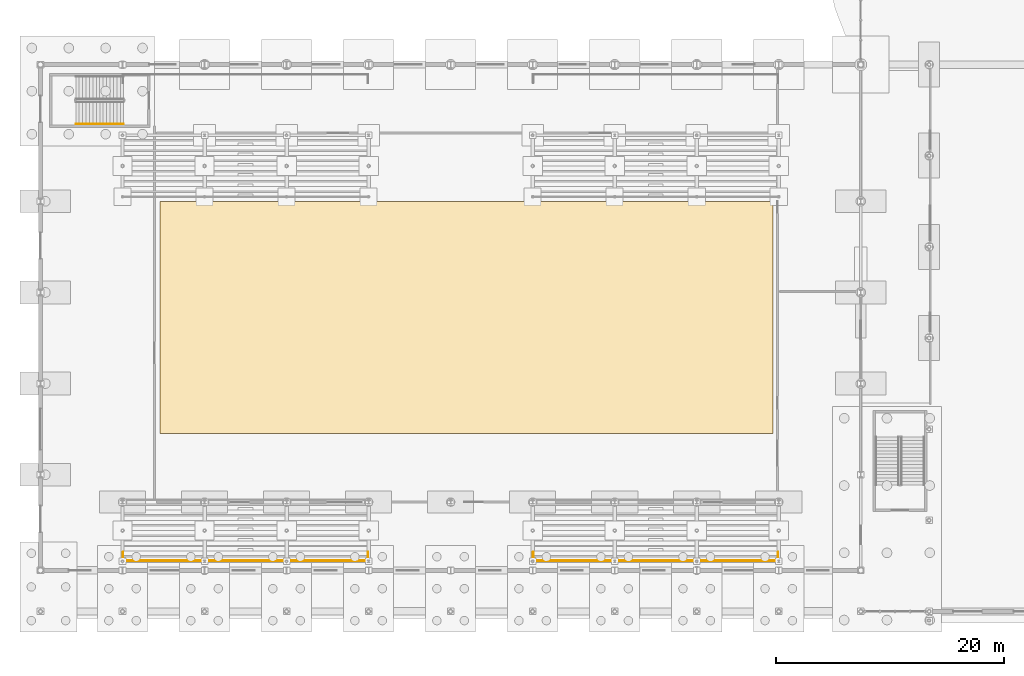
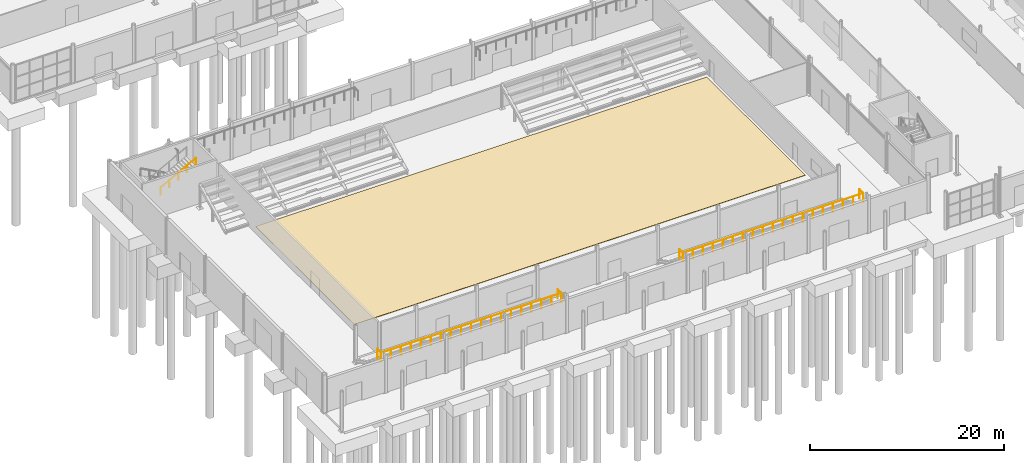
# One storey, part 86 of 101: 3 railings, 1 covering.
"""IFC4 building model written with IfcOpenShell, lengths in metres."""

from ifc_helpers import new_model, si_unit, derived_unit, direction, frame, origin, origin_2d, place, context, subcontext, project, spatial, polyline, circle, outline, extrude, material, layer, layer_set, type_object, element, save


model = new_model("IFC4")

# Units and contexts
model_context = context("Model", 3, precision=1e-05, world=origin(), true_north=direction((0.0, 1.0)))
body_context = subcontext(model_context, "Body", "Model", "MODEL_VIEW")
ifc_project = project(units=[si_unit("LENGTHUNIT", "METRE"), si_unit("AREAUNIT", "SQUARE_METRE"), si_unit("VOLUMEUNIT", "CUBIC_METRE"), si_unit("PLANEANGLEUNIT", "RADIAN"), si_unit("MASSUNIT", "GRAM", prefix="KILO"), derived_unit("THERMALTRANSMITTANCEUNIT", [(si_unit("POWERUNIT", "WATT"), 1), (si_unit("LENGTHUNIT", "METRE"), -2), (si_unit("THERMODYNAMICTEMPERATUREUNIT", "KELVIN"), -1)])], contexts=[model_context])

# Site, building, storey
site_placement = place(None, origin())
site = spatial("IfcSite", under=ifc_project, at=site_placement, CompositionType="ELEMENT")
building_placement = place(site_placement, origin())
building = spatial("IfcBuilding", under=site, at=building_placement, Name="Keldorne Ridge Multi-Sports Centre", CompositionType="ELEMENT")
storey_placement = place(building_placement, origin())
storey = spatial("IfcBuildingStorey", under=building, at=storey_placement, Name="L00", CompositionType="ELEMENT", Elevation=0.0)

# Covering
ifc_material_1 = material(Name="Sprung beech sports flooring")
ifc_layer = layer(ifc_material_1, 0.044921875)
ifc_layer_set = layer_set([ifc_layer])
covering_type = type_object("IfcCoveringType", Name="COV-FL-01", PredefinedType="FLOORING", material=ifc_layer_set)
covering_placement = place(storey_placement, origin())
element("IfcCovering", 1, at=covering_placement, inside=storey, type_object=covering_type, Name="Main Competition Hall sprung beech court", PredefinedType="FLOORING", context=body_context, shape_type="SweptSolid", body=[
    extrude(outline(polyline([(16.5, 21.60009765625), (70.300048828125, 21.60009765625), (70.300048828125, 42.0), (16.5, 42.0), (16.5, 21.60009765625)])), origin(), (0.0, 0.0, 1.0), 0.044921875),
])

# Railings
ifc_material_2 = material(Name="Painted steel", Category="steel")
railing_type_1 = type_object("IfcRailingType", Name="RLG-BL-02", PredefinedType="BALUSTRADE", material=ifc_material_2)
railing_1_placement = place(storey_placement, frame((13.25, 11.199951171875, 3.25)))
element("IfcRailing", 2, at=railing_1_placement, inside=storey, type_object=railing_type_1, Name="Safety balustrade RLG-STD-SW", PredefinedType="BALUSTRADE", context=body_context, shape_type="SweptSolid", body=[
    extrude(circle(Radius=0.02392578125, at=origin_2d()), frame((0.0, 0.0, 1.1259765625), z_axis=(0.0, -1.0, 0.0), x_axis=(1.0, 0.0, 0.0)), (0.0, 0.0, 1.0), 0.75),
    extrude(circle(Radius=0.02392578125, at=origin_2d()), frame((0.0, -0.75, 1.1259765625), z_axis=(1.0, 0.0, 0.0), x_axis=(0.0, 1.0, 0.0)), (0.0, 0.0, 1.0), 21.5),
    extrude(circle(Radius=0.02392578125, at=origin_2d()), frame((21.5, -0.75, 1.1259765625), z_axis=(0.0, 1.0, 0.0), x_axis=(-1.0, 0.0, 0.0)), (0.0, 0.0, 1.0), 0.75),
    extrude(circle(Radius=0.02099609375, at=origin_2d()), origin(), (0.0, 0.0, 1.0), 1.101806640625),
    extrude(circle(Radius=0.02099609375, at=origin_2d()), frame((0.0, -0.75, 0.0)), (0.0, 0.0, 1.0), 1.101806640625),
    extrude(circle(Radius=0.02099609375, at=origin_2d()), frame((1.1943359375, -0.75, 0.0)), (0.0, 0.0, 1.0), 1.101806640625),
    extrude(circle(Radius=0.02099609375, at=origin_2d()), frame((2.388916015625, -0.75, 0.0)), (0.0, 0.0, 1.0), 1.101806640625),
    extrude(circle(Radius=0.02099609375, at=origin_2d()), frame((3.583251953125, -0.75, 0.0)), (0.0, 0.0, 1.0), 1.101806640625),
    extrude(circle(Radius=0.02099609375, at=origin_2d()), frame((4.77783203125, -0.75, 0.0)), (0.0, 0.0, 1.0), 1.101806640625),
    extrude(circle(Radius=0.02099609375, at=origin_2d()), frame((5.97216796875, -0.75, 0.0)), (0.0, 0.0, 1.0), 1.101806640625),
    extrude(circle(Radius=0.02099609375, at=origin_2d()), frame((7.166748046875, -0.75, 0.0)), (0.0, 0.0, 1.0), 1.101806640625),
    extrude(circle(Radius=0.02099609375, at=origin_2d()), frame((8.361083984375, -0.75, 0.0)), (0.0, 0.0, 1.0), 1.101806640625),
    extrude(circle(Radius=0.02099609375, at=origin_2d()), frame((9.5556640625, -0.75, 0.0)), (0.0, 0.0, 1.0), 1.101806640625),
    extrude(circle(Radius=0.02099609375, at=origin_2d()), frame((10.75, -0.75, 0.0)), (0.0, 0.0, 1.0), 1.101806640625),
    extrude(circle(Radius=0.02099609375, at=origin_2d()), frame((11.9443359375, -0.75, 0.0)), (0.0, 0.0, 1.0), 1.101806640625),
    extrude(circle(Radius=0.02099609375, at=origin_2d()), frame((13.138916015625, -0.75, 0.0)), (0.0, 0.0, 1.0), 1.101806640625),
    extrude(circle(Radius=0.02099609375, at=origin_2d()), frame((14.333251953125, -0.75, 0.0)), (0.0, 0.0, 1.0), 1.101806640625),
    extrude(circle(Radius=0.02099609375, at=origin_2d()), frame((15.52783203125, -0.75, 0.0)), (0.0, 0.0, 1.0), 1.101806640625),
    extrude(circle(Radius=0.02099609375, at=origin_2d()), frame((16.72216796875, -0.75, 0.0)), (0.0, 0.0, 1.0), 1.101806640625),
    extrude(circle(Radius=0.02099609375, at=origin_2d()), frame((17.916748046875, -0.75, 0.0)), (0.0, 0.0, 1.0), 1.101806640625),
    extrude(circle(Radius=0.02099609375, at=origin_2d()), frame((19.111083984375, -0.75, 0.0)), (0.0, 0.0, 1.0), 1.101806640625),
    extrude(circle(Radius=0.02099609375, at=origin_2d()), frame((20.3056640625, -0.75, 0.0)), (0.0, 0.0, 1.0), 1.101806640625),
    extrude(circle(Radius=0.02099609375, at=origin_2d()), frame((21.5, -0.75, 0.0)), (0.0, 0.0, 1.0), 1.101806640625),
    extrude(circle(Radius=0.02099609375, at=origin_2d()), frame((21.5, 0.0, 0.0)), (0.0, 0.0, 1.0), 1.101806640625),
])
railing_2_placement = place(storey_placement, frame((49.25, 11.199951171875, 3.25)))
element("IfcRailing", 3, at=railing_2_placement, inside=storey, type_object=railing_type_1, Name="Safety balustrade RLG-STD-SE", PredefinedType="BALUSTRADE", context=body_context, shape_type="SweptSolid", body=[
    extrude(circle(Radius=0.02392578125, at=origin_2d()), frame((0.0, 0.0, 1.1259765625), z_axis=(0.0, -1.0, 0.0), x_axis=(1.0, 0.0, 0.0)), (0.0, 0.0, 1.0), 0.75),
    extrude(circle(Radius=0.02392578125, at=origin_2d()), frame((0.0, -0.75, 1.1259765625), z_axis=(1.0, 0.0, 0.0), x_axis=(0.0, 1.0, 0.0)), (0.0, 0.0, 1.0), 21.5),
    extrude(circle(Radius=0.02392578125, at=origin_2d()), frame((21.5, -0.75, 1.1259765625), z_axis=(0.0, 1.0, 0.0), x_axis=(-1.0, 0.0, 0.0)), (0.0, 0.0, 1.0), 0.75),
    extrude(circle(Radius=0.02099609375, at=origin_2d()), origin(), (0.0, 0.0, 1.0), 1.101806640625),
    extrude(circle(Radius=0.02099609375, at=origin_2d()), frame((0.0, -0.75, 0.0)), (0.0, 0.0, 1.0), 1.101806640625),
    extrude(circle(Radius=0.02099609375, at=origin_2d()), frame((1.1943359375, -0.75, 0.0)), (0.0, 0.0, 1.0), 1.101806640625),
    extrude(circle(Radius=0.02099609375, at=origin_2d()), frame((2.388916015625, -0.75, 0.0)), (0.0, 0.0, 1.0), 1.101806640625),
    extrude(circle(Radius=0.02099609375, at=origin_2d()), frame((3.583251953125, -0.75, 0.0)), (0.0, 0.0, 1.0), 1.101806640625),
    extrude(circle(Radius=0.02099609375, at=origin_2d()), frame((4.77783203125, -0.75, 0.0)), (0.0, 0.0, 1.0), 1.101806640625),
    extrude(circle(Radius=0.02099609375, at=origin_2d()), frame((5.97216796875, -0.75, 0.0)), (0.0, 0.0, 1.0), 1.101806640625),
    extrude(circle(Radius=0.02099609375, at=origin_2d()), frame((7.166748046875, -0.75, 0.0)), (0.0, 0.0, 1.0), 1.101806640625),
    extrude(circle(Radius=0.02099609375, at=origin_2d()), frame((8.361083984375, -0.75, 0.0)), (0.0, 0.0, 1.0), 1.101806640625),
    extrude(circle(Radius=0.02099609375, at=origin_2d()), frame((9.5556640625, -0.75, 0.0)), (0.0, 0.0, 1.0), 1.101806640625),
    extrude(circle(Radius=0.02099609375, at=origin_2d()), frame((10.75, -0.75, 0.0)), (0.0, 0.0, 1.0), 1.101806640625),
    extrude(circle(Radius=0.02099609375, at=origin_2d()), frame((11.9443359375, -0.75, 0.0)), (0.0, 0.0, 1.0), 1.101806640625),
    extrude(circle(Radius=0.02099609375, at=origin_2d()), frame((13.138916015625, -0.75, 0.0)), (0.0, 0.0, 1.0), 1.101806640625),
    extrude(circle(Radius=0.02099609375, at=origin_2d()), frame((14.333251953125, -0.75, 0.0)), (0.0, 0.0, 1.0), 1.101806640625),
    extrude(circle(Radius=0.02099609375, at=origin_2d()), frame((15.52783203125, -0.75, 0.0)), (0.0, 0.0, 1.0), 1.101806640625),
    extrude(circle(Radius=0.02099609375, at=origin_2d()), frame((16.72216796875, -0.75, 0.0)), (0.0, 0.0, 1.0), 1.101806640625),
    extrude(circle(Radius=0.02099609375, at=origin_2d()), frame((17.916748046875, -0.75, 0.0)), (0.0, 0.0, 1.0), 1.101806640625),
    extrude(circle(Radius=0.02099609375, at=origin_2d()), frame((19.111083984375, -0.75, 0.0)), (0.0, 0.0, 1.0), 1.101806640625),
    extrude(circle(Radius=0.02099609375, at=origin_2d()), frame((20.3056640625, -0.75, 0.0)), (0.0, 0.0, 1.0), 1.101806640625),
    extrude(circle(Radius=0.02099609375, at=origin_2d()), frame((21.5, -0.75, 0.0)), (0.0, 0.0, 1.0), 1.101806640625),
    extrude(circle(Radius=0.02099609375, at=origin_2d()), frame((21.5, 0.0, 0.0)), (0.0, 0.0, 1.0), 1.101806640625),
])
ifc_material_3 = material(Name="Stainless steel", Category="steel")
railing_type_2 = type_object("IfcRailingType", Name="RLG-HR-01", PredefinedType="HANDRAIL", material=ifc_material_3)
railing_3_placement = place(storey_placement, frame((9.10009765625, 48.77001953125, 2.56005859375)))
element("IfcRailing", 4, at=railing_3_placement, inside=storey, type_object=railing_type_2, Name="L00 ST-09 stair handrail 2", PredefinedType="HANDRAIL", context=body_context, shape_type="SweptSolid", body=[
    extrude(circle(Radius=0.02392578125, at=origin_2d()), frame((0.0, 0.0, 0.8759765625), z_axis=(0.882351521365, 0.0, 0.470590897432), x_axis=(0.0, 1.0, 0.0)), (0.0, 0.0, 1.0), 4.760009765625),
    extrude(circle(Radius=0.02099609375, at=origin_2d()), origin(), (0.0, 0.0, 1.0), 0.851806640625),
    extrude(circle(Radius=0.02099609375, at=origin_2d()), frame((1.050048828125, 0.0, 0.56005859375)), (0.0, 0.0, 1.0), 0.851806640625),
    extrude(circle(Radius=0.02099609375, at=origin_2d()), frame((2.10009765625, 0.0, 1.1201171875)), (0.0, 0.0, 1.0), 0.851806640625),
    extrude(circle(Radius=0.02099609375, at=origin_2d()), frame((3.14990234375, 0.0, 1.679931640625)), (0.0, 0.0, 1.0), 0.851806640625),
    extrude(circle(Radius=0.02099609375, at=origin_2d()), frame((4.199951171875, 0.0, 2.239990234375)), (0.0, 0.0, 1.0), 0.851806640625),
])

save(model, "model.ifc")
